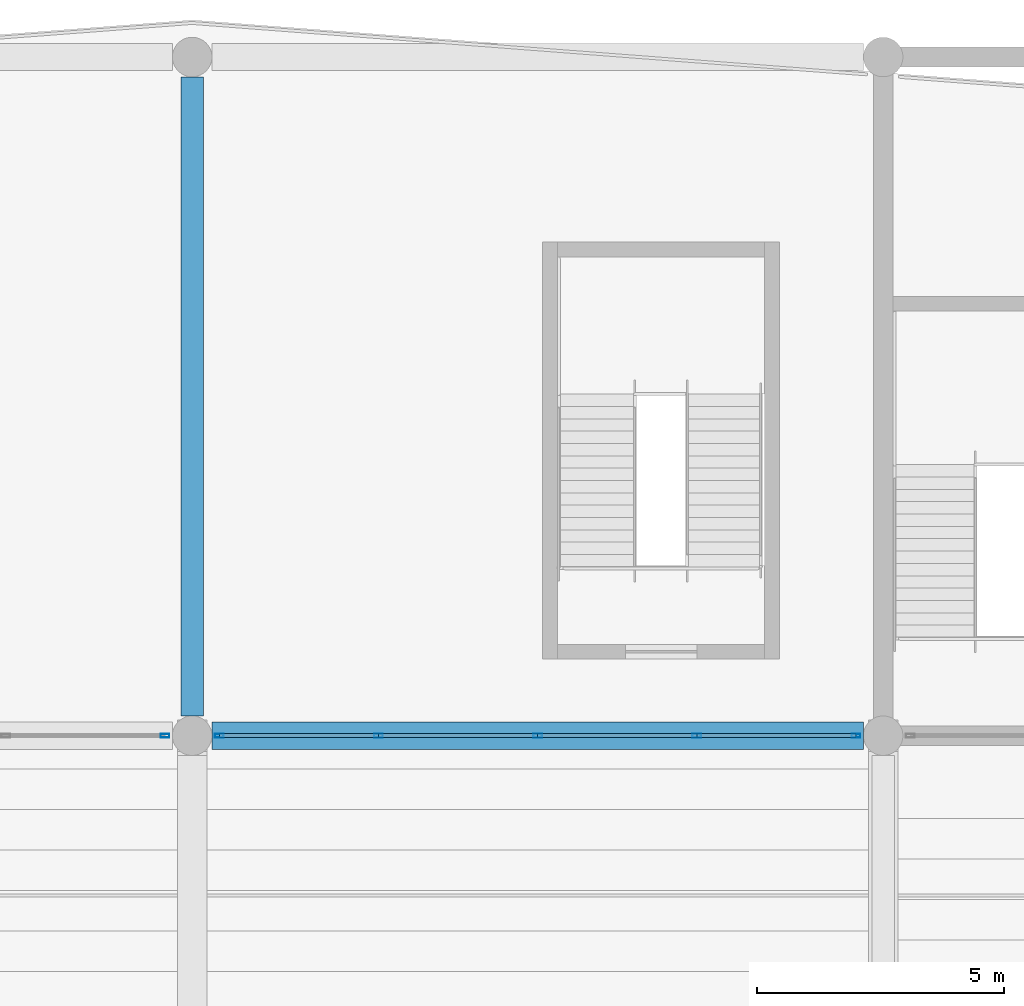
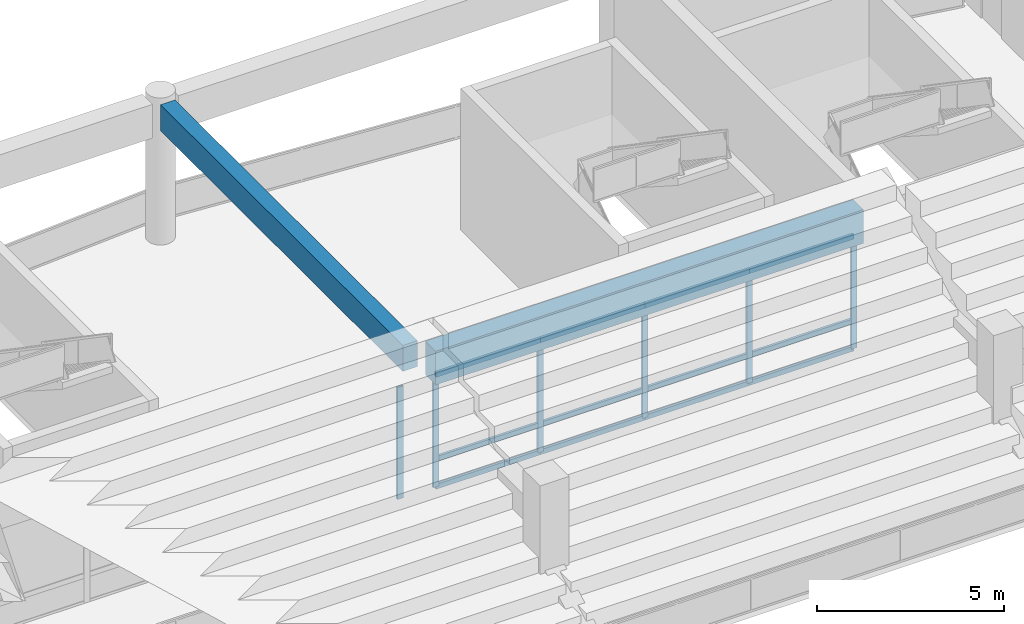
# One storey, part 51 of 94: 18 members, 2 beams, 2 elements without a shape of their own.
"""IFC4 building model written with IfcOpenShell, lengths in metres."""

from ifc_helpers import new_model, si_unit, direction, frame, origin, origin_2d, place, context, subcontext, project, spatial, rectangle, hollow_rectangle, extrude, material, material_profile, profile_set, type_object, element, aggregate, save


model = new_model("IFC4")

# Units and contexts
model_context = context("Model", 3, precision=1e-05, world=origin(), true_north=direction((0.0, 1.0)))
body_context = subcontext(model_context, "Body", "Model", "MODEL_VIEW")
ifc_project = project(units=[si_unit("LENGTHUNIT", "METRE"), si_unit("AREAUNIT", "SQUARE_METRE"), si_unit("VOLUMEUNIT", "CUBIC_METRE"), si_unit("PLANEANGLEUNIT", "RADIAN"), si_unit("MASSUNIT", "GRAM", prefix="KILO")], contexts=[model_context])

# Site, building, storey
site_placement = place(None, origin())
site = spatial("IfcSite", under=ifc_project, at=site_placement, CompositionType="ELEMENT")
building_placement = place(site_placement, origin())
building = spatial("IfcBuilding", under=site, at=building_placement, Name="Linyun Crest Stadium", CompositionType="ELEMENT")
storey_placement = place(building_placement, frame((0.0, 0.0, 16.199951171875)))
storey = spatial("IfcBuildingStorey", under=building, at=storey_placement, Name="L04", CompositionType="ELEMENT", Elevation=16.199951171875)

# Beam
ifc_material_1 = material(Name="Concrete C40", Category="concrete")
ifc_material_profile_1 = material_profile(ifc_material_1, rectangle(XDim=0.449951171875, YDim=0.85009765625, at=origin_2d()), Name="RCB 850x450")
ifc_profile_set_1 = profile_set([ifc_material_profile_1], Name="Concrete C40")
beam_type_1 = type_object("IfcBeamType", Name="B04", PredefinedType="BEAM", material=ifc_profile_set_1)
beam_1_placement = place(storey_placement, frame((0.0, 91.89990234375, 4.195068359375), z_axis=(0.0, 1.0, 0.0), x_axis=(-1.0, 0.0, 0.0)))
element("IfcBeam", 1, at=beam_1_placement, inside=storey, type_object=beam_type_1, Name="Frame beam B04 L04 817", PredefinedType="BEAM", context=body_context, shape_type="SweptSolid", body=[
    extrude(rectangle(XDim=0.449951171875, YDim=0.85009765625, at=origin_2d()), origin(), (0.0, 0.0, 1.0), 12.9501953125),
])

# Curtain wall, member
ifc_material_2 = material(Name="Verdigris steel and low-E curtain wall assembly", Category="steel")
curtain_wall_type = type_object("IfcCurtainWallType", Name="MCW01", PredefinedType="NOTDEFINED", material=ifc_material_2)
curtain_wall_1_placement = place(storey_placement, origin())
curtain_wall_1 = element("IfcCurtainWall", 2, at=curtain_wall_1_placement, inside=storey, type_object=curtain_wall_type, Name="CWR-136", PredefinedType="NOTDEFINED")
ifc_material_3 = material(Name="Verdigris painted steel Q355B mullion", Category="steel")
ifc_material_profile_2 = material_profile(ifc_material_3, hollow_rectangle(XDim=0.080078125, YDim=0.179931640625, WallThickness=0.006103515625, at=origin_2d()), Name="RHS 180x80x6")
ifc_profile_set_2 = profile_set([ifc_material_profile_2], Name="Verdigris painted steel Q355B mullion")
member_type_1 = type_object("IfcMemberType", Name="ML02", PredefinedType="MULLION", material=ifc_profile_set_2)
member_1_placement = place(storey_placement, frame((-0.550048828125, 91.5, 0.0), z_axis=(0.0, 0.0, 1.0), x_axis=(0.0, 1.0, 0.0)))
member_1 = element("IfcMember", 3, at=member_1_placement, type_object=member_type_1, Name="CWR-136 mullion 5", PredefinedType="MULLION", context=body_context, shape_type="SweptSolid", body=[
    extrude(hollow_rectangle(XDim=0.080078125, YDim=0.179931640625, WallThickness=0.006103515625, at=origin_2d()), origin(), (0.0, 0.0, 1.0), 3.650146484375),
])
aggregate(curtain_wall_1, [member_1])

# Curtain wall, members
curtain_wall_2_placement = place(storey_placement, origin())
curtain_wall_2 = element("IfcCurtainWall", 4, at=curtain_wall_2_placement, inside=storey, type_object=curtain_wall_type, Name="CWR-143", PredefinedType="NOTDEFINED")
member_2_placement = place(storey_placement, frame((0.550048828125, 91.5, 0.0), z_axis=(0.0, 0.0, 1.0), x_axis=(0.0, 1.0, 0.0)))
member_2 = element("IfcMember", 5, at=member_2_placement, type_object=member_type_1, Name="CWR-143 mullion 1", PredefinedType="MULLION", context=body_context, shape_type="SweptSolid", body=[
    extrude(hollow_rectangle(XDim=0.080078125, YDim=0.179931640625, WallThickness=0.006103515625, at=origin_2d()), origin(), (0.0, 0.0, 1.0), 3.650146484375),
])
member_3_placement = place(storey_placement, frame((3.77490234375, 91.5, 0.0), z_axis=(0.0, 0.0, 1.0), x_axis=(0.0, 1.0, 0.0)))
member_3 = element("IfcMember", 6, at=member_3_placement, type_object=member_type_1, Name="CWR-143 mullion 2", PredefinedType="MULLION", context=body_context, shape_type="SweptSolid", body=[
    extrude(hollow_rectangle(XDim=0.080078125, YDim=0.179931640625, WallThickness=0.006103515625, at=origin_2d()), origin(), (0.0, 0.0, 1.0), 3.650146484375),
])
member_4_placement = place(storey_placement, frame((7.0, 91.5, 0.0), z_axis=(0.0, 0.0, 1.0), x_axis=(0.0, 1.0, 0.0)))
member_4 = element("IfcMember", 7, at=member_4_placement, type_object=member_type_1, Name="CWR-143 mullion 3", PredefinedType="MULLION", context=body_context, shape_type="SweptSolid", body=[
    extrude(hollow_rectangle(XDim=0.080078125, YDim=0.179931640625, WallThickness=0.006103515625, at=origin_2d()), origin(), (0.0, 0.0, 1.0), 3.650146484375),
])
member_5_placement = place(storey_placement, frame((10.22509765625, 91.5, 0.0), z_axis=(0.0, 0.0, 1.0), x_axis=(0.0, 1.0, 0.0)))
member_5 = element("IfcMember", 8, at=member_5_placement, type_object=member_type_1, Name="CWR-143 mullion 4", PredefinedType="MULLION", context=body_context, shape_type="SweptSolid", body=[
    extrude(hollow_rectangle(XDim=0.080078125, YDim=0.179931640625, WallThickness=0.006103515625, at=origin_2d()), origin(), (0.0, 0.0, 1.0), 3.650146484375),
])
member_6_placement = place(storey_placement, frame((13.449951171875, 91.5, 0.0), z_axis=(0.0, 0.0, 1.0), x_axis=(0.0, 1.0, 0.0)))
member_6 = element("IfcMember", 9, at=member_6_placement, type_object=member_type_1, Name="CWR-143 mullion 5", PredefinedType="MULLION", context=body_context, shape_type="SweptSolid", body=[
    extrude(hollow_rectangle(XDim=0.080078125, YDim=0.179931640625, WallThickness=0.006103515625, at=origin_2d()), origin(), (0.0, 0.0, 1.0), 3.650146484375),
])

# Beam
ifc_material_4 = material(Name="Concrete C50", Category="concrete")
ifc_material_profile_3 = material_profile(ifc_material_4, rectangle(XDim=0.550048828125, YDim=1.10009765625, at=origin_2d()), Name="RCB 1100x550")
ifc_profile_set_3 = profile_set([ifc_material_profile_3], Name="Concrete C50")
beam_type_2 = type_object("IfcBeamType", Name="TB01", PredefinedType="USERDEFINED", material=ifc_profile_set_3)
beam_2_placement = place(storey_placement, frame((0.39990234375, 91.5, 4.070068359375), z_axis=(1.0, 0.0, 0.0), x_axis=(0.0, 1.0, 0.0)))
element("IfcBeam", 10, at=beam_2_placement, inside=storey, type_object=beam_type_2, Name="Frame beam TB01 L04 811", ObjectType="GIRDER", PredefinedType="USERDEFINED", context=body_context, shape_type="SweptSolid", body=[
    extrude(rectangle(XDim=0.550048828125, YDim=1.10009765625, at=origin_2d()), origin(), (0.0, 0.0, 1.0), 13.2001953125),
])

# Member
ifc_material_5 = material(Name="Aluminium thermally broken transom", Category="aluminium")
ifc_material_profile_4 = material_profile(ifc_material_5, hollow_rectangle(XDim=0.080078125, YDim=0.159912109375, WallThickness=0.006103515625, at=origin_2d()), Name="RHS 160x80x6")
ifc_profile_set_4 = profile_set([ifc_material_profile_4], Name="Aluminium thermally broken transom")
member_type_2 = type_object("IfcMemberType", Name="TR01", PredefinedType="USERDEFINED", material=ifc_profile_set_4)
member_7_placement = place(storey_placement, frame((0.550048828125, 91.5, 0.0), z_axis=(1.0, 0.0, 0.0), x_axis=(0.0, 1.0, 0.0)))
member_7 = element("IfcMember", 11, at=member_7_placement, type_object=member_type_2, Name="CWR-143 transom 1.1", ObjectType="TRANSOM", PredefinedType="USERDEFINED", context=body_context, shape_type="SweptSolid", body=[
    extrude(hollow_rectangle(XDim=0.080078125, YDim=0.159912109375, WallThickness=0.006103515625, at=origin_2d()), origin(), (0.0, 0.0, 1.0), 3.224853515625),
])

member_8_placement = place(storey_placement, frame((0.550048828125, 91.5, 0.900146484375), z_axis=(1.0, 0.0, 0.0), x_axis=(0.0, 1.0, 0.0)))
member_8 = element("IfcMember", 12, at=member_8_placement, type_object=member_type_2, Name="CWR-143 transom 1.2", ObjectType="TRANSOM", PredefinedType="USERDEFINED", context=body_context, shape_type="SweptSolid", body=[
    extrude(hollow_rectangle(XDim=0.080078125, YDim=0.159912109375, WallThickness=0.006103515625, at=origin_2d()), origin(), (0.0, 0.0, 1.0), 3.224853515625),
])

member_9_placement = place(storey_placement, frame((0.550048828125, 91.5, 3.650146484375), z_axis=(1.0, 0.0, 0.0), x_axis=(0.0, 1.0, 0.0)))
member_9 = element("IfcMember", 13, at=member_9_placement, type_object=member_type_2, Name="CWR-143 transom 1.3", ObjectType="TRANSOM", PredefinedType="USERDEFINED", context=body_context, shape_type="SweptSolid", body=[
    extrude(hollow_rectangle(XDim=0.080078125, YDim=0.159912109375, WallThickness=0.006103515625, at=origin_2d()), origin(), (0.0, 0.0, 1.0), 3.224853515625),
])

member_10_placement = place(storey_placement, frame((3.77490234375, 91.5, 0.0), z_axis=(1.0, 0.0, 0.0), x_axis=(0.0, 1.0, 0.0)))
member_10 = element("IfcMember", 14, at=member_10_placement, type_object=member_type_2, Name="CWR-143 transom 2.1", ObjectType="TRANSOM", PredefinedType="USERDEFINED", context=body_context, shape_type="SweptSolid", body=[
    extrude(hollow_rectangle(XDim=0.080078125, YDim=0.159912109375, WallThickness=0.006103515625, at=origin_2d()), origin(), (0.0, 0.0, 1.0), 3.22509765625),
])

member_11_placement = place(storey_placement, frame((3.77490234375, 91.5, 0.900146484375), z_axis=(1.0, 0.0, 0.0), x_axis=(0.0, 1.0, 0.0)))
member_11 = element("IfcMember", 15, at=member_11_placement, type_object=member_type_2, Name="CWR-143 transom 2.2", ObjectType="TRANSOM", PredefinedType="USERDEFINED", context=body_context, shape_type="SweptSolid", body=[
    extrude(hollow_rectangle(XDim=0.080078125, YDim=0.159912109375, WallThickness=0.006103515625, at=origin_2d()), origin(), (0.0, 0.0, 1.0), 3.22509765625),
])

member_12_placement = place(storey_placement, frame((3.77490234375, 91.5, 3.650146484375), z_axis=(1.0, 0.0, 0.0), x_axis=(0.0, 1.0, 0.0)))
member_12 = element("IfcMember", 16, at=member_12_placement, type_object=member_type_2, Name="CWR-143 transom 2.3", ObjectType="TRANSOM", PredefinedType="USERDEFINED", context=body_context, shape_type="SweptSolid", body=[
    extrude(hollow_rectangle(XDim=0.080078125, YDim=0.159912109375, WallThickness=0.006103515625, at=origin_2d()), origin(), (0.0, 0.0, 1.0), 3.22509765625),
])

member_13_placement = place(storey_placement, frame((7.0, 91.5, 0.0), z_axis=(1.0, 0.0, 0.0), x_axis=(0.0, 1.0, 0.0)))
member_13 = element("IfcMember", 17, at=member_13_placement, type_object=member_type_2, Name="CWR-143 transom 3.1", ObjectType="TRANSOM", PredefinedType="USERDEFINED", context=body_context, shape_type="SweptSolid", body=[
    extrude(hollow_rectangle(XDim=0.080078125, YDim=0.159912109375, WallThickness=0.006103515625, at=origin_2d()), origin(), (0.0, 0.0, 1.0), 3.22509765625),
])

member_14_placement = place(storey_placement, frame((7.0, 91.5, 0.900146484375), z_axis=(1.0, 0.0, 0.0), x_axis=(0.0, 1.0, 0.0)))
member_14 = element("IfcMember", 18, at=member_14_placement, type_object=member_type_2, Name="CWR-143 transom 3.2", ObjectType="TRANSOM", PredefinedType="USERDEFINED", context=body_context, shape_type="SweptSolid", body=[
    extrude(hollow_rectangle(XDim=0.080078125, YDim=0.159912109375, WallThickness=0.006103515625, at=origin_2d()), origin(), (0.0, 0.0, 1.0), 3.22509765625),
])

member_15_placement = place(storey_placement, frame((7.0, 91.5, 3.650146484375), z_axis=(1.0, 0.0, 0.0), x_axis=(0.0, 1.0, 0.0)))
member_15 = element("IfcMember", 19, at=member_15_placement, type_object=member_type_2, Name="CWR-143 transom 3.3", ObjectType="TRANSOM", PredefinedType="USERDEFINED", context=body_context, shape_type="SweptSolid", body=[
    extrude(hollow_rectangle(XDim=0.080078125, YDim=0.159912109375, WallThickness=0.006103515625, at=origin_2d()), origin(), (0.0, 0.0, 1.0), 3.22509765625),
])

member_16_placement = place(storey_placement, frame((10.22509765625, 91.5, 0.0), z_axis=(1.0, 0.0, 0.0), x_axis=(0.0, 1.0, 0.0)))
member_16 = element("IfcMember", 20, at=member_16_placement, type_object=member_type_2, Name="CWR-143 transom 4.1", ObjectType="TRANSOM", PredefinedType="USERDEFINED", context=body_context, shape_type="SweptSolid", body=[
    extrude(hollow_rectangle(XDim=0.080078125, YDim=0.159912109375, WallThickness=0.006103515625, at=origin_2d()), origin(), (0.0, 0.0, 1.0), 3.224853515625),
])

member_17_placement = place(storey_placement, frame((10.22509765625, 91.5, 0.900146484375), z_axis=(1.0, 0.0, 0.0), x_axis=(0.0, 1.0, 0.0)))
member_17 = element("IfcMember", 21, at=member_17_placement, type_object=member_type_2, Name="CWR-143 transom 4.2", ObjectType="TRANSOM", PredefinedType="USERDEFINED", context=body_context, shape_type="SweptSolid", body=[
    extrude(hollow_rectangle(XDim=0.080078125, YDim=0.159912109375, WallThickness=0.006103515625, at=origin_2d()), origin(), (0.0, 0.0, 1.0), 3.224853515625),
])

member_18_placement = place(storey_placement, frame((10.22509765625, 91.5, 3.650146484375), z_axis=(1.0, 0.0, 0.0), x_axis=(0.0, 1.0, 0.0)))
member_18 = element("IfcMember", 22, at=member_18_placement, type_object=member_type_2, Name="CWR-143 transom 4.3", ObjectType="TRANSOM", PredefinedType="USERDEFINED", context=body_context, shape_type="SweptSolid", body=[
    extrude(hollow_rectangle(XDim=0.080078125, YDim=0.159912109375, WallThickness=0.006103515625, at=origin_2d()), origin(), (0.0, 0.0, 1.0), 3.224853515625),
])

aggregate(curtain_wall_2, [member_2, member_3, member_4, member_5, member_6, member_7, member_8, member_9, member_10, member_11, member_12, member_13, member_14, member_15, member_16, member_17, member_18])

save(model, "model.ifc")
